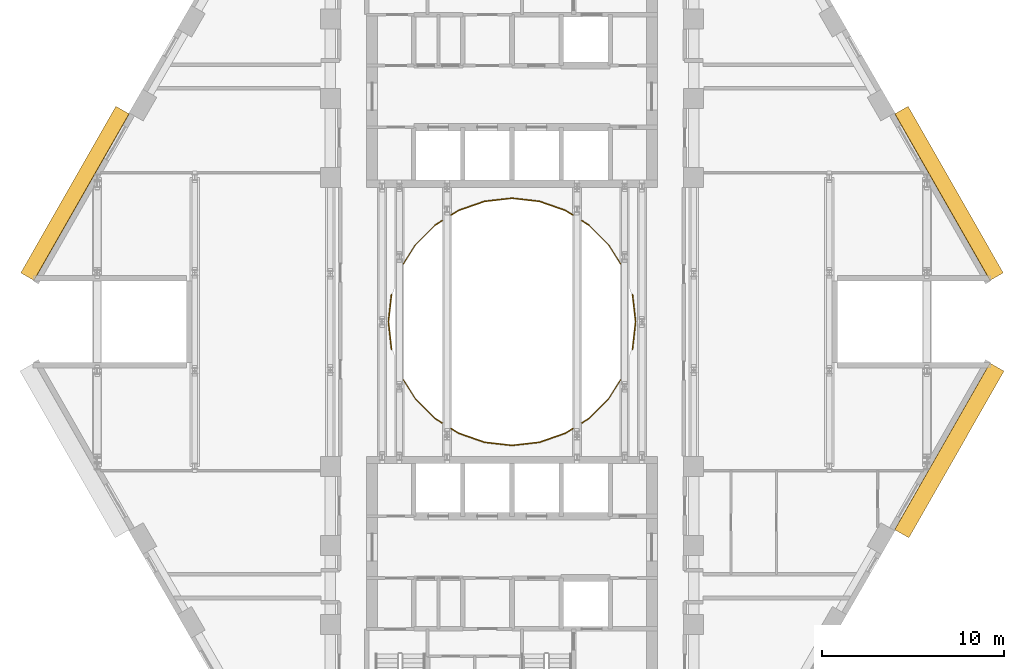
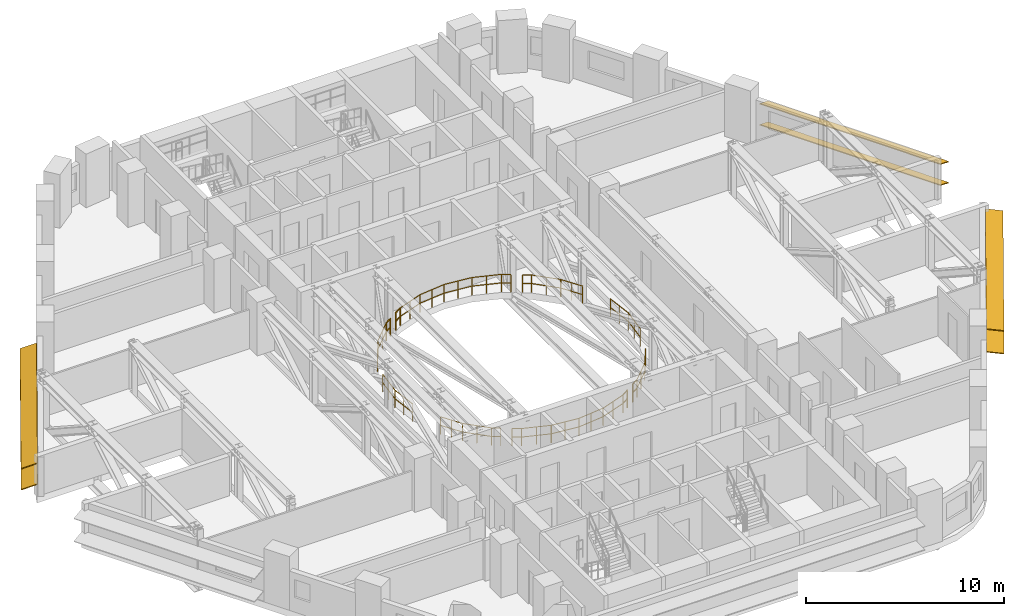
# One storey, part 17 of 18: 28 railings, 6 shading devices.
"""IFC4 building model written with IfcOpenShell, lengths in metres."""

from ifc_helpers import new_model, si_unit, direction, frame, origin, origin_2d, place, context, subcontext, project, spatial, rectangle, circle, extrude, material, material_profile, profile_set, type_object, element, save


model = new_model("IFC4")

# Units and contexts
model_context = context("Model", 3, precision=1e-05, world=origin(), true_north=direction((0.0, 1.0)))
body_context = subcontext(model_context, "Body", "Model", "MODEL_VIEW")
ifc_project = project(units=[si_unit("LENGTHUNIT", "METRE"), si_unit("AREAUNIT", "SQUARE_METRE"), si_unit("VOLUMEUNIT", "CUBIC_METRE"), si_unit("PLANEANGLEUNIT", "RADIAN"), si_unit("MASSUNIT", "GRAM", prefix="KILO")], contexts=[model_context])

# Site, building, storey
site_placement = place(None, origin())
site = spatial("IfcSite", under=ifc_project, at=site_placement, CompositionType="ELEMENT")
building_placement = place(site_placement, origin())
building = spatial("IfcBuilding", under=site, at=building_placement, Name="Nakaniwa Court", CompositionType="ELEMENT")
storey_placement = place(building_placement, frame((0.0, 0.0, 38.10009765625)))
storey = spatial("IfcBuildingStorey", under=building, at=storey_placement, Name="L09", CompositionType="ELEMENT", Elevation=38.10009765625)

# Shading devices
ifc_material_1 = material(Name="Perforated charcoal ceramic louvre blade")
ifc_material_profile = material_profile(ifc_material_1, rectangle(XDim=0.89990234375, YDim=0.050048828125, at=origin_2d()), Name="Perforated ceramic louvre blade")
ifc_profile_set = profile_set([ifc_material_profile], Name="Perforated charcoal ceramic louvre blade")
shading_device_type = type_object("IfcShadingDeviceType", Name="Perforated ceramic louvre blade", PredefinedType="JALOUSIE", material=ifc_profile_set)
for number, where, z_axis, x_axis, name in (
    (1, (58.575439453125, 91.64697265625, 0.5498046875), (-0.495969556448, -0.868339909872, 0.0), (0.802820219499, -0.458546686207, 0.38107037635), "L09 perforated ceramic louvre blade w09 1"),
    (2, (58.575439453125, 91.64697265625, 1.84521484375), (-0.495969556448, -0.868339909872, 0.0), (0.802820219499, -0.458546686207, 0.38107037635), "L09 perforated ceramic louvre blade w09 2"),
    (3, (101.4453125, 68.34130859375, 0.5498046875), (0.495969556448, 0.868339909872, 0.0), (-0.860712012886, 0.491612731843, 0.132256390257), "L09 perforated ceramic louvre blade w23 1"),
    (4, (101.4453125, 68.34130859375, 1.95556640625), (0.495969556448, 0.868339909872, 0.0), (-0.860712012886, 0.491612731843, 0.132256390257), "L09 perforated ceramic louvre blade w23 2"),
    (5, (106.659912109375, 82.48095703125, 0.5498046875), (-0.495969556448, 0.868339909872, 0.0), (-0.802820219499, -0.458546686207, 0.38107037635), "L09 perforated ceramic louvre blade w27 1"),
    (6, (106.659912109375, 82.48095703125, 1.84521484375), (-0.495969556448, 0.868339909872, 0.0), (-0.802820219499, -0.458546686207, 0.38107037635), "L09 perforated ceramic louvre blade w27 2"),
):
    element("IfcShadingDevice", number, at=place(storey_placement, frame(where, z_axis=z_axis, x_axis=x_axis)), inside=storey, type_object=shading_device_type, Name=name, PredefinedType="JALOUSIE", context=body_context, shape_type="SweptSolid", body=[
        extrude(rectangle(XDim=0.89990234375, YDim=0.050048828125, at=origin_2d()), origin(), (0.0, 0.0, 1.0), 10.555908203125),
    ])

# Railings
ifc_material_2 = material(Name="Black powder coated steel guard", Category="steel")
railing_type = type_object("IfcRailingType", Name="Stair guard 1100", PredefinedType="GUARDRAIL", material=ifc_material_2)
railing_1_placement = place(storey_placement, frame((83.3544921875, 85.873046875, 0.0)))
element("IfcRailing", 7, at=railing_1_placement, inside=storey, type_object=railing_type, Name="GUARD GD-L09-137", PredefinedType="GUARDRAIL", context=body_context, shape_type="SweptSolid", body=[
    extrude(circle(Radius=0.02392578125, at=origin_2d()), frame((0.0, 0.0, 1.076171875), z_axis=(-0.846803188398, 0.531906345251, 0.0), x_axis=(-0.531906345251, -0.846803188398, 0.0)), (0.0, 0.0, 1.0), 0.471435546875),
    extrude(circle(Radius=0.02392578125, at=origin_2d()), frame((0.0, 0.0, 0.550048828125), z_axis=(-0.846803188398, 0.531906345251, 0.0), x_axis=(-0.531906345251, -0.846803188398, 0.0)), (0.0, 0.0, 1.0), 0.471435546875),
    extrude(circle(Radius=0.02099609375, at=origin_2d()), origin(), (0.0, 0.0, 1.0), 1.052001953125),
    extrude(circle(Radius=0.02099609375, at=origin_2d()), frame((-0.399169921875, 0.250732421875, 0.0)), (0.0, 0.0, 1.0), 1.052001953125),
])
railing_2_placement = place(storey_placement, frame((82.9453125, 86.128662109375, 0.0)))
element("IfcRailing", 8, at=railing_2_placement, inside=storey, type_object=railing_type, Name="GUARD GD-L09-138", PredefinedType="GUARDRAIL", context=body_context, shape_type="SweptSolid", body=[
    extrude(circle(Radius=0.02392578125, at=origin_2d()), frame((0.0, 0.0, 1.076171875), z_axis=(-0.943878498697, 0.330292869582, 0.0), x_axis=(-0.330292869582, -0.943878498697, 0.0)), (0.0, 0.0, 1.0), 1.511474609375),
    extrude(circle(Radius=0.02392578125, at=origin_2d()), frame((0.0, 0.0, 0.550048828125), z_axis=(-0.943878498697, 0.330292869582, 0.0), x_axis=(-0.330292869582, -0.943878498697, 0.0)), (0.0, 0.0, 1.0), 1.511474609375),
    extrude(circle(Radius=0.02099609375, at=origin_2d()), origin(), (0.0, 0.0, 1.0), 1.052001953125),
    extrude(circle(Radius=0.02099609375, at=origin_2d()), frame((-0.71337890625, 0.24951171875, 0.0)), (0.0, 0.0, 1.0), 1.052001953125),
    extrude(circle(Radius=0.02099609375, at=origin_2d()), frame((-1.4267578125, 0.499267578125, 0.0)), (0.0, 0.0, 1.0), 1.052001953125),
])
railing_3_placement = place(storey_placement, frame((81.507568359375, 86.630615234375, 0.0)))
element("IfcRailing", 9, at=railing_3_placement, inside=storey, type_object=railing_type, Name="GUARD GD-L09-139", PredefinedType="GUARDRAIL", context=body_context, shape_type="SweptSolid", body=[
    extrude(circle(Radius=0.02392578125, at=origin_2d()), frame((0.0, 0.0, 1.076171875), z_axis=(-0.993715155565, 0.111938329455, 0.0), x_axis=(-0.111938329455, -0.993715155565, 0.0)), (0.0, 0.0, 1.0), 1.511474609375),
    extrude(circle(Radius=0.02392578125, at=origin_2d()), frame((0.0, 0.0, 0.550048828125), z_axis=(-0.993715155565, 0.111938329455, 0.0), x_axis=(-0.111938329455, -0.993715155565, 0.0)), (0.0, 0.0, 1.0), 1.511474609375),
    extrude(circle(Radius=0.02099609375, at=origin_2d()), origin(), (0.0, 0.0, 1.0), 1.052001953125),
    extrude(circle(Radius=0.02099609375, at=origin_2d()), frame((-0.7509765625, 0.08447265625, 0.0)), (0.0, 0.0, 1.0), 1.052001953125),
    extrude(circle(Radius=0.02099609375, at=origin_2d()), frame((-1.501953125, 0.169189453125, 0.0)), (0.0, 0.0, 1.0), 1.052001953125),
])
railing_4_placement = place(storey_placement, frame((79.994384765625, 86.7998046875, 0.0)))
element("IfcRailing", 10, at=railing_4_placement, inside=storey, type_object=railing_type, Name="GUARD GD-L09-140", PredefinedType="GUARDRAIL", context=body_context, shape_type="SweptSolid", body=[
    extrude(circle(Radius=0.02392578125, at=origin_2d()), frame((0.0, 0.0, 1.076171875), z_axis=(-0.993715155565, -0.111938329455, 0.0), x_axis=(0.111938329455, -0.993715155565, 0.0)), (0.0, 0.0, 1.0), 1.511474609375),
    extrude(circle(Radius=0.02392578125, at=origin_2d()), frame((0.0, 0.0, 0.550048828125), z_axis=(-0.993715155565, -0.111938329455, 0.0), x_axis=(0.111938329455, -0.993715155565, 0.0)), (0.0, 0.0, 1.0), 1.511474609375),
    extrude(circle(Radius=0.02099609375, at=origin_2d()), origin(), (0.0, 0.0, 1.0), 1.052001953125),
    extrude(circle(Radius=0.02099609375, at=origin_2d()), frame((-0.7509765625, -0.08447265625, 0.0)), (0.0, 0.0, 1.0), 1.052001953125),
    extrude(circle(Radius=0.02099609375, at=origin_2d()), frame((-1.501953125, -0.169189453125, 0.0)), (0.0, 0.0, 1.0), 1.052001953125),
])
railing_5_placement = place(storey_placement, frame((78.4814453125, 86.6279296875, 0.0)))
element("IfcRailing", 11, at=railing_5_placement, inside=storey, type_object=railing_type, Name="GUARD GD-L09-141", PredefinedType="GUARDRAIL", context=body_context, shape_type="SweptSolid", body=[
    extrude(circle(Radius=0.02392578125, at=origin_2d()), frame((0.0, 0.0, 1.076171875), z_axis=(-0.943878498697, -0.330292869582, 0.0), x_axis=(0.330292869582, -0.943878498697, 0.0)), (0.0, 0.0, 1.0), 1.511474609375),
    extrude(circle(Radius=0.02392578125, at=origin_2d()), frame((0.0, 0.0, 0.550048828125), z_axis=(-0.943878498697, -0.330292869582, 0.0), x_axis=(0.330292869582, -0.943878498697, 0.0)), (0.0, 0.0, 1.0), 1.511474609375),
    extrude(circle(Radius=0.02099609375, at=origin_2d()), origin(), (0.0, 0.0, 1.0), 1.052001953125),
    extrude(circle(Radius=0.02099609375, at=origin_2d()), frame((-0.71337890625, -0.24951171875, 0.0)), (0.0, 0.0, 1.0), 1.052001953125),
    extrude(circle(Radius=0.02099609375, at=origin_2d()), frame((-1.4267578125, -0.499267578125, 0.0)), (0.0, 0.0, 1.0), 1.052001953125),
])
railing_6_placement = place(storey_placement, frame((77.044677734375, 86.123779296875, 0.0)))
element("IfcRailing", 12, at=railing_6_placement, inside=storey, type_object=railing_type, Name="GUARD GD-L09-142", PredefinedType="GUARDRAIL", context=body_context, shape_type="SweptSolid", body=[
    extrude(circle(Radius=0.02392578125, at=origin_2d()), frame((0.0, 0.0, 1.076171875), z_axis=(-0.846803188398, -0.531906345251, 0.0), x_axis=(0.531906345251, -0.846803188398, 0.0)), (0.0, 0.0, 1.0), 0.471435546875),
    extrude(circle(Radius=0.02392578125, at=origin_2d()), frame((0.0, 0.0, 0.550048828125), z_axis=(-0.846803188398, -0.531906345251, 0.0), x_axis=(0.531906345251, -0.846803188398, 0.0)), (0.0, 0.0, 1.0), 0.471435546875),
    extrude(circle(Radius=0.02099609375, at=origin_2d()), origin(), (0.0, 0.0, 1.0), 1.052001953125),
    extrude(circle(Radius=0.02099609375, at=origin_2d()), frame((-0.399169921875, -0.250732421875, 0.0)), (0.0, 0.0, 1.0), 1.052001953125),
])
railing_7_placement = place(storey_placement, frame((76.155517578125, 85.565185546875, 0.0)))
element("IfcRailing", 13, at=railing_7_placement, inside=storey, type_object=railing_type, Name="GUARD GD-L09-143", PredefinedType="GUARDRAIL", context=body_context, shape_type="SweptSolid", body=[
    extrude(circle(Radius=0.02392578125, at=origin_2d()), frame((0.0, 0.0, 1.076171875), z_axis=(-0.846568430422, -0.532279900628, 0.0), x_axis=(0.532279900628, -0.846568430422, 0.0)), (0.0, 0.0, 1.0), 0.46142578125),
    extrude(circle(Radius=0.02392578125, at=origin_2d()), frame((0.0, 0.0, 0.550048828125), z_axis=(-0.846568430422, -0.532279900628, 0.0), x_axis=(0.532279900628, -0.846568430422, 0.0)), (0.0, 0.0, 1.0), 0.46142578125),
    extrude(circle(Radius=0.02099609375, at=origin_2d()), origin(), (0.0, 0.0, 1.0), 1.052001953125),
    extrude(circle(Radius=0.02099609375, at=origin_2d()), frame((-0.390625, -0.24560546875, 0.0)), (0.0, 0.0, 1.0), 1.052001953125),
])
railing_8_placement = place(storey_placement, frame((75.756103515625, 85.312744140625, 0.0)))
element("IfcRailing", 14, at=railing_8_placement, inside=storey, type_object=railing_type, Name="GUARD GD-L09-144", PredefinedType="GUARDRAIL", context=body_context, shape_type="SweptSolid", body=[
    extrude(circle(Radius=0.02392578125, at=origin_2d()), frame((0.0, 0.0, 1.076171875), z_axis=(-0.707106781187, -0.707106781187, 0.0), x_axis=(0.707106781187, -0.707106781187, 0.0)), (0.0, 0.0, 1.0), 1.511474609375),
    extrude(circle(Radius=0.02392578125, at=origin_2d()), frame((0.0, 0.0, 0.550048828125), z_axis=(-0.707106781187, -0.707106781187, 0.0), x_axis=(0.707106781187, -0.707106781187, 0.0)), (0.0, 0.0, 1.0), 1.511474609375),
    extrude(circle(Radius=0.02099609375, at=origin_2d()), origin(), (0.0, 0.0, 1.0), 1.052001953125),
    extrude(circle(Radius=0.02099609375, at=origin_2d()), frame((-0.534423828125, -0.534423828125, 0.0)), (0.0, 0.0, 1.0), 1.052001953125),
    extrude(circle(Radius=0.02099609375, at=origin_2d()), frame((-1.06884765625, -1.06884765625, 0.0)), (0.0, 0.0, 1.0), 1.052001953125),
])
railing_9_placement = place(storey_placement, frame((74.680419921875, 84.235107421875, 0.0)))
element("IfcRailing", 15, at=railing_9_placement, inside=storey, type_object=railing_type, Name="GUARD GD-L09-145", PredefinedType="GUARDRAIL", context=body_context, shape_type="SweptSolid", body=[
    extrude(circle(Radius=0.02392578125, at=origin_2d()), frame((0.0, 0.0, 1.076171875), z_axis=(-0.532139278029, -0.846656830587, 0.0), x_axis=(0.846656830587, -0.532139278029, 0.0)), (0.0, 0.0, 1.0), 1.23974609375),
    extrude(circle(Radius=0.02392578125, at=origin_2d()), frame((0.0, 0.0, 0.550048828125), z_axis=(-0.532139278029, -0.846656830587, 0.0), x_axis=(0.846656830587, -0.532139278029, 0.0)), (0.0, 0.0, 1.0), 1.23974609375),
    extrude(circle(Radius=0.02099609375, at=origin_2d()), origin(), (0.0, 0.0, 1.0), 1.052001953125),
    extrude(circle(Radius=0.02099609375, at=origin_2d()), frame((-0.329833984375, -0.52490234375, 0.0)), (0.0, 0.0, 1.0), 1.052001953125),
    extrude(circle(Radius=0.02099609375, at=origin_2d()), frame((-0.65966796875, -1.049560546875, 0.0)), (0.0, 0.0, 1.0), 1.052001953125),
])
railing_10_placement = place(storey_placement, frame((73.369384765625, 81.507568359375, 0.0)))
element("IfcRailing", 16, at=railing_10_placement, inside=storey, type_object=railing_type, Name="GUARD GD-L09-146", PredefinedType="GUARDRAIL", context=body_context, shape_type="SweptSolid", body=[
    extrude(circle(Radius=0.02392578125, at=origin_2d()), frame((0.0, 0.0, 1.076171875), z_axis=(-0.111938329455, -0.993715155565, 0.0), x_axis=(0.993715155565, -0.111938329455, 0.0)), (0.0, 0.0, 1.0), 1.511474609375),
    extrude(circle(Radius=0.02392578125, at=origin_2d()), frame((0.0, 0.0, 0.550048828125), z_axis=(-0.111938329455, -0.993715155565, 0.0), x_axis=(0.993715155565, -0.111938329455, 0.0)), (0.0, 0.0, 1.0), 1.511474609375),
    extrude(circle(Radius=0.02099609375, at=origin_2d()), origin(), (0.0, 0.0, 1.0), 1.052001953125),
    extrude(circle(Radius=0.02099609375, at=origin_2d()), frame((-0.08447265625, -0.7509765625, 0.0)), (0.0, 0.0, 1.0), 1.052001953125),
    extrude(circle(Radius=0.02099609375, at=origin_2d()), frame((-0.169189453125, -1.501953125, 0.0)), (0.0, 0.0, 1.0), 1.052001953125),
])
railing_11_placement = place(storey_placement, frame((73.2001953125, 79.994384765625, 0.0)))
element("IfcRailing", 17, at=railing_11_placement, inside=storey, type_object=railing_type, Name="GUARD GD-L09-147", PredefinedType="GUARDRAIL", context=body_context, shape_type="SweptSolid", body=[
    extrude(circle(Radius=0.02392578125, at=origin_2d()), frame((0.0, 0.0, 1.076171875), z_axis=(0.111938329455, -0.993715155565, 0.0), x_axis=(0.993715155565, 0.111938329455, 0.0)), (0.0, 0.0, 1.0), 1.511474609375),
    extrude(circle(Radius=0.02392578125, at=origin_2d()), frame((0.0, 0.0, 0.550048828125), z_axis=(0.111938329455, -0.993715155565, 0.0), x_axis=(0.993715155565, 0.111938329455, 0.0)), (0.0, 0.0, 1.0), 1.511474609375),
    extrude(circle(Radius=0.02099609375, at=origin_2d()), origin(), (0.0, 0.0, 1.0), 1.052001953125),
    extrude(circle(Radius=0.02099609375, at=origin_2d()), frame((0.08447265625, -0.7509765625, 0.0)), (0.0, 0.0, 1.0), 1.052001953125),
    extrude(circle(Radius=0.02099609375, at=origin_2d()), frame((0.169189453125, -1.501953125, 0.0)), (0.0, 0.0, 1.0), 1.052001953125),
])
railing_12_placement = place(storey_placement, frame((74.020751953125, 76.814453125, 0.0)))
element("IfcRailing", 18, at=railing_12_placement, inside=storey, type_object=railing_type, Name="GUARD GD-L09-148", PredefinedType="GUARDRAIL", context=body_context, shape_type="SweptSolid", body=[
    extrude(circle(Radius=0.02392578125, at=origin_2d()), frame((0.0, 0.0, 1.076171875), z_axis=(0.532139278029, -0.846656830587, 0.0), x_axis=(0.846656830587, 0.532139278029, 0.0)), (0.0, 0.0, 1.0), 1.23974609375),
    extrude(circle(Radius=0.02392578125, at=origin_2d()), frame((0.0, 0.0, 0.550048828125), z_axis=(0.532139278029, -0.846656830587, 0.0), x_axis=(0.846656830587, 0.532139278029, 0.0)), (0.0, 0.0, 1.0), 1.23974609375),
    extrude(circle(Radius=0.02099609375, at=origin_2d()), origin(), (0.0, 0.0, 1.0), 1.052001953125),
    extrude(circle(Radius=0.02099609375, at=origin_2d()), frame((0.329833984375, -0.52490234375, 0.0)), (0.0, 0.0, 1.0), 1.052001953125),
    extrude(circle(Radius=0.02099609375, at=origin_2d()), frame((0.65966796875, -1.049560546875, 0.0)), (0.0, 0.0, 1.0), 1.052001953125),
])
railing_13_placement = place(storey_placement, frame((74.687255859375, 75.756103515625, 0.0)))
element("IfcRailing", 19, at=railing_13_placement, inside=storey, type_object=railing_type, Name="GUARD GD-L09-149", PredefinedType="GUARDRAIL", context=body_context, shape_type="SweptSolid", body=[
    extrude(circle(Radius=0.02392578125, at=origin_2d()), frame((0.0, 0.0, 1.076171875), z_axis=(0.707106781187, -0.707106781187, 0.0), x_axis=(0.707106781187, 0.707106781187, 0.0)), (0.0, 0.0, 1.0), 1.511474609375),
    extrude(circle(Radius=0.02392578125, at=origin_2d()), frame((0.0, 0.0, 0.550048828125), z_axis=(0.707106781187, -0.707106781187, 0.0), x_axis=(0.707106781187, 0.707106781187, 0.0)), (0.0, 0.0, 1.0), 1.511474609375),
    extrude(circle(Radius=0.02099609375, at=origin_2d()), origin(), (0.0, 0.0, 1.0), 1.052001953125),
    extrude(circle(Radius=0.02099609375, at=origin_2d()), frame((0.534423828125, -0.534423828125, 0.0)), (0.0, 0.0, 1.0), 1.052001953125),
    extrude(circle(Radius=0.02099609375, at=origin_2d()), frame((1.06884765625, -1.06884765625, 0.0)), (0.0, 0.0, 1.0), 1.052001953125),
])
railing_14_placement = place(storey_placement, frame((75.764892578125, 74.680419921875, 0.0)))
element("IfcRailing", 20, at=railing_14_placement, inside=storey, type_object=railing_type, Name="GUARD GD-L09-150", PredefinedType="GUARDRAIL", context=body_context, shape_type="SweptSolid", body=[
    extrude(circle(Radius=0.02392578125, at=origin_2d()), frame((0.0, 0.0, 1.076171875), z_axis=(0.846568430422, -0.532279900628, 0.0), x_axis=(0.532279900628, 0.846568430422, 0.0)), (0.0, 0.0, 1.0), 0.46142578125),
    extrude(circle(Radius=0.02392578125, at=origin_2d()), frame((0.0, 0.0, 0.550048828125), z_axis=(0.846568430422, -0.532279900628, 0.0), x_axis=(0.532279900628, 0.846568430422, 0.0)), (0.0, 0.0, 1.0), 0.46142578125),
    extrude(circle(Radius=0.02099609375, at=origin_2d()), origin(), (0.0, 0.0, 1.0), 1.052001953125),
    extrude(circle(Radius=0.02099609375, at=origin_2d()), frame((0.390625, -0.24560546875, 0.0)), (0.0, 0.0, 1.0), 1.052001953125),
])
railing_15_placement = place(storey_placement, frame((76.6455078125, 74.126953125, 0.0)))
element("IfcRailing", 21, at=railing_15_placement, inside=storey, type_object=railing_type, Name="GUARD GD-L09-151", PredefinedType="GUARDRAIL", context=body_context, shape_type="SweptSolid", body=[
    extrude(circle(Radius=0.02392578125, at=origin_2d()), frame((0.0, 0.0, 1.076171875), z_axis=(0.846803188398, -0.531906345251, 0.0), x_axis=(0.531906345251, 0.846803188398, 0.0)), (0.0, 0.0, 1.0), 0.471435546875),
    extrude(circle(Radius=0.02392578125, at=origin_2d()), frame((0.0, 0.0, 0.550048828125), z_axis=(0.846803188398, -0.531906345251, 0.0), x_axis=(0.531906345251, 0.846803188398, 0.0)), (0.0, 0.0, 1.0), 0.471435546875),
    extrude(circle(Radius=0.02099609375, at=origin_2d()), origin(), (0.0, 0.0, 1.0), 1.052001953125),
    extrude(circle(Radius=0.02099609375, at=origin_2d()), frame((0.399169921875, -0.250732421875, 0.0)), (0.0, 0.0, 1.0), 1.052001953125),
])
railing_16_placement = place(storey_placement, frame((77.0546875, 73.871337890625, 0.0)))
element("IfcRailing", 22, at=railing_16_placement, inside=storey, type_object=railing_type, Name="GUARD GD-L09-152", PredefinedType="GUARDRAIL", context=body_context, shape_type="SweptSolid", body=[
    extrude(circle(Radius=0.02392578125, at=origin_2d()), frame((0.0, 0.0, 1.076171875), z_axis=(0.943878498697, -0.330292869582, 0.0), x_axis=(0.330292869582, 0.943878498697, 0.0)), (0.0, 0.0, 1.0), 1.511474609375),
    extrude(circle(Radius=0.02392578125, at=origin_2d()), frame((0.0, 0.0, 0.550048828125), z_axis=(0.943878498697, -0.330292869582, 0.0), x_axis=(0.330292869582, 0.943878498697, 0.0)), (0.0, 0.0, 1.0), 1.511474609375),
    extrude(circle(Radius=0.02099609375, at=origin_2d()), origin(), (0.0, 0.0, 1.0), 1.052001953125),
    extrude(circle(Radius=0.02099609375, at=origin_2d()), frame((0.71337890625, -0.24951171875, 0.0)), (0.0, 0.0, 1.0), 1.052001953125),
    extrude(circle(Radius=0.02099609375, at=origin_2d()), frame((1.4267578125, -0.499267578125, 0.0)), (0.0, 0.0, 1.0), 1.052001953125),
])
railing_17_placement = place(storey_placement, frame((78.492431640625, 73.369384765625, 0.0)))
element("IfcRailing", 23, at=railing_17_placement, inside=storey, type_object=railing_type, Name="GUARD GD-L09-153", PredefinedType="GUARDRAIL", context=body_context, shape_type="SweptSolid", body=[
    extrude(circle(Radius=0.02392578125, at=origin_2d()), frame((0.0, 0.0, 1.076171875), z_axis=(0.993715155565, -0.111938329455, 0.0), x_axis=(0.111938329455, 0.993715155565, 0.0)), (0.0, 0.0, 1.0), 1.511474609375),
    extrude(circle(Radius=0.02392578125, at=origin_2d()), frame((0.0, 0.0, 0.550048828125), z_axis=(0.993715155565, -0.111938329455, 0.0), x_axis=(0.111938329455, 0.993715155565, 0.0)), (0.0, 0.0, 1.0), 1.511474609375),
    extrude(circle(Radius=0.02099609375, at=origin_2d()), origin(), (0.0, 0.0, 1.0), 1.052001953125),
    extrude(circle(Radius=0.02099609375, at=origin_2d()), frame((0.7509765625, -0.08447265625, 0.0)), (0.0, 0.0, 1.0), 1.052001953125),
    extrude(circle(Radius=0.02099609375, at=origin_2d()), frame((1.501953125, -0.169189453125, 0.0)), (0.0, 0.0, 1.0), 1.052001953125),
])
railing_18_placement = place(storey_placement, frame((80.005615234375, 73.2001953125, 0.0)))
element("IfcRailing", 24, at=railing_18_placement, inside=storey, type_object=railing_type, Name="GUARD GD-L09-154", PredefinedType="GUARDRAIL", context=body_context, shape_type="SweptSolid", body=[
    extrude(circle(Radius=0.02392578125, at=origin_2d()), frame((0.0, 0.0, 1.076171875), z_axis=(0.993715155565, 0.111938329455, 0.0), x_axis=(-0.111938329455, 0.993715155565, 0.0)), (0.0, 0.0, 1.0), 1.511474609375),
    extrude(circle(Radius=0.02392578125, at=origin_2d()), frame((0.0, 0.0, 0.550048828125), z_axis=(0.993715155565, 0.111938329455, 0.0), x_axis=(-0.111938329455, 0.993715155565, 0.0)), (0.0, 0.0, 1.0), 1.511474609375),
    extrude(circle(Radius=0.02099609375, at=origin_2d()), origin(), (0.0, 0.0, 1.0), 1.052001953125),
    extrude(circle(Radius=0.02099609375, at=origin_2d()), frame((0.7509765625, 0.08447265625, 0.0)), (0.0, 0.0, 1.0), 1.052001953125),
    extrude(circle(Radius=0.02099609375, at=origin_2d()), frame((1.501953125, 0.169189453125, 0.0)), (0.0, 0.0, 1.0), 1.052001953125),
])
railing_19_placement = place(storey_placement, frame((81.5185546875, 73.3720703125, 0.0)))
element("IfcRailing", 25, at=railing_19_placement, inside=storey, type_object=railing_type, Name="GUARD GD-L09-155", PredefinedType="GUARDRAIL", context=body_context, shape_type="SweptSolid", body=[
    extrude(circle(Radius=0.02392578125, at=origin_2d()), frame((0.0, 0.0, 1.076171875), z_axis=(0.943878498697, 0.330292869582, 0.0), x_axis=(-0.330292869582, 0.943878498697, 0.0)), (0.0, 0.0, 1.0), 1.511474609375),
    extrude(circle(Radius=0.02392578125, at=origin_2d()), frame((0.0, 0.0, 0.550048828125), z_axis=(0.943878498697, 0.330292869582, 0.0), x_axis=(-0.330292869582, 0.943878498697, 0.0)), (0.0, 0.0, 1.0), 1.511474609375),
    extrude(circle(Radius=0.02099609375, at=origin_2d()), origin(), (0.0, 0.0, 1.0), 1.052001953125),
    extrude(circle(Radius=0.02099609375, at=origin_2d()), frame((0.71337890625, 0.24951171875, 0.0)), (0.0, 0.0, 1.0), 1.052001953125),
    extrude(circle(Radius=0.02099609375, at=origin_2d()), frame((1.4267578125, 0.499267578125, 0.0)), (0.0, 0.0, 1.0), 1.052001953125),
])
railing_20_placement = place(storey_placement, frame((82.955322265625, 73.876220703125, 0.0)))
element("IfcRailing", 26, at=railing_20_placement, inside=storey, type_object=railing_type, Name="GUARD GD-L09-156", PredefinedType="GUARDRAIL", context=body_context, shape_type="SweptSolid", body=[
    extrude(circle(Radius=0.02392578125, at=origin_2d()), frame((0.0, 0.0, 1.076171875), z_axis=(0.846803188398, 0.531906345251, 0.0), x_axis=(-0.531906345251, 0.846803188398, 0.0)), (0.0, 0.0, 1.0), 0.471435546875),
    extrude(circle(Radius=0.02392578125, at=origin_2d()), frame((0.0, 0.0, 0.550048828125), z_axis=(0.846803188398, 0.531906345251, 0.0), x_axis=(-0.531906345251, 0.846803188398, 0.0)), (0.0, 0.0, 1.0), 0.471435546875),
    extrude(circle(Radius=0.02099609375, at=origin_2d()), origin(), (0.0, 0.0, 1.0), 1.052001953125),
    extrude(circle(Radius=0.02099609375, at=origin_2d()), frame((0.399169921875, 0.250732421875, 0.0)), (0.0, 0.0, 1.0), 1.052001953125),
])
railing_21_placement = place(storey_placement, frame((83.844482421875, 74.434814453125, 0.0)))
element("IfcRailing", 27, at=railing_21_placement, inside=storey, type_object=railing_type, Name="GUARD GD-L09-157", PredefinedType="GUARDRAIL", context=body_context, shape_type="SweptSolid", body=[
    extrude(circle(Radius=0.02392578125, at=origin_2d()), frame((0.0, 0.0, 1.076171875), z_axis=(0.846568430422, 0.532279900628, 0.0), x_axis=(-0.532279900628, 0.846568430422, 0.0)), (0.0, 0.0, 1.0), 0.46142578125),
    extrude(circle(Radius=0.02392578125, at=origin_2d()), frame((0.0, 0.0, 0.550048828125), z_axis=(0.846568430422, 0.532279900628, 0.0), x_axis=(-0.532279900628, 0.846568430422, 0.0)), (0.0, 0.0, 1.0), 0.46142578125),
    extrude(circle(Radius=0.02099609375, at=origin_2d()), origin(), (0.0, 0.0, 1.0), 1.052001953125),
    extrude(circle(Radius=0.02099609375, at=origin_2d()), frame((0.390625, 0.24560546875, 0.0)), (0.0, 0.0, 1.0), 1.052001953125),
])
railing_22_placement = place(storey_placement, frame((84.243896484375, 74.687255859375, 0.0)))
element("IfcRailing", 28, at=railing_22_placement, inside=storey, type_object=railing_type, Name="GUARD GD-L09-158", PredefinedType="GUARDRAIL", context=body_context, shape_type="SweptSolid", body=[
    extrude(circle(Radius=0.02392578125, at=origin_2d()), frame((0.0, 0.0, 1.076171875), z_axis=(0.707106781187, 0.707106781187, 0.0), x_axis=(-0.707106781187, 0.707106781187, 0.0)), (0.0, 0.0, 1.0), 1.511474609375),
    extrude(circle(Radius=0.02392578125, at=origin_2d()), frame((0.0, 0.0, 0.550048828125), z_axis=(0.707106781187, 0.707106781187, 0.0), x_axis=(-0.707106781187, 0.707106781187, 0.0)), (0.0, 0.0, 1.0), 1.511474609375),
    extrude(circle(Radius=0.02099609375, at=origin_2d()), origin(), (0.0, 0.0, 1.0), 1.052001953125),
    extrude(circle(Radius=0.02099609375, at=origin_2d()), frame((0.534423828125, 0.534423828125, 0.0)), (0.0, 0.0, 1.0), 1.052001953125),
    extrude(circle(Radius=0.02099609375, at=origin_2d()), frame((1.06884765625, 1.06884765625, 0.0)), (0.0, 0.0, 1.0), 1.052001953125),
])
railing_23_placement = place(storey_placement, frame((85.319580078125, 75.764892578125, 0.0)))
element("IfcRailing", 29, at=railing_23_placement, inside=storey, type_object=railing_type, Name="GUARD GD-L09-159", PredefinedType="GUARDRAIL", context=body_context, shape_type="SweptSolid", body=[
    extrude(circle(Radius=0.02392578125, at=origin_2d()), frame((0.0, 0.0, 1.076171875), z_axis=(0.532139278029, 0.846656830587, 0.0), x_axis=(-0.846656830587, 0.532139278029, 0.0)), (0.0, 0.0, 1.0), 1.23974609375),
    extrude(circle(Radius=0.02392578125, at=origin_2d()), frame((0.0, 0.0, 0.550048828125), z_axis=(0.532139278029, 0.846656830587, 0.0), x_axis=(-0.846656830587, 0.532139278029, 0.0)), (0.0, 0.0, 1.0), 1.23974609375),
    extrude(circle(Radius=0.02099609375, at=origin_2d()), origin(), (0.0, 0.0, 1.0), 1.052001953125),
    extrude(circle(Radius=0.02099609375, at=origin_2d()), frame((0.329833984375, 0.52490234375, 0.0)), (0.0, 0.0, 1.0), 1.052001953125),
    extrude(circle(Radius=0.02099609375, at=origin_2d()), frame((0.65966796875, 1.049560546875, 0.0)), (0.0, 0.0, 1.0), 1.052001953125),
])
railing_24_placement = place(storey_placement, frame((86.630615234375, 78.492431640625, 0.0)))
element("IfcRailing", 30, at=railing_24_placement, inside=storey, type_object=railing_type, Name="GUARD GD-L09-160", PredefinedType="GUARDRAIL", context=body_context, shape_type="SweptSolid", body=[
    extrude(circle(Radius=0.02392578125, at=origin_2d()), frame((0.0, 0.0, 1.076171875), z_axis=(0.111938329455, 0.993715155565, 0.0), x_axis=(-0.993715155565, 0.111938329455, 0.0)), (0.0, 0.0, 1.0), 1.511474609375),
    extrude(circle(Radius=0.02392578125, at=origin_2d()), frame((0.0, 0.0, 0.550048828125), z_axis=(0.111938329455, 0.993715155565, 0.0), x_axis=(-0.993715155565, 0.111938329455, 0.0)), (0.0, 0.0, 1.0), 1.511474609375),
    extrude(circle(Radius=0.02099609375, at=origin_2d()), origin(), (0.0, 0.0, 1.0), 1.052001953125),
    extrude(circle(Radius=0.02099609375, at=origin_2d()), frame((0.08447265625, 0.7509765625, 0.0)), (0.0, 0.0, 1.0), 1.052001953125),
    extrude(circle(Radius=0.02099609375, at=origin_2d()), frame((0.169189453125, 1.501953125, 0.0)), (0.0, 0.0, 1.0), 1.052001953125),
])
railing_25_placement = place(storey_placement, frame((86.7998046875, 80.005615234375, 0.0)))
element("IfcRailing", 31, at=railing_25_placement, inside=storey, type_object=railing_type, Name="GUARD GD-L09-161", PredefinedType="GUARDRAIL", context=body_context, shape_type="SweptSolid", body=[
    extrude(circle(Radius=0.02392578125, at=origin_2d()), frame((0.0, 0.0, 1.076171875), z_axis=(-0.111938329455, 0.993715155565, 0.0), x_axis=(-0.993715155565, -0.111938329455, 0.0)), (0.0, 0.0, 1.0), 1.511474609375),
    extrude(circle(Radius=0.02392578125, at=origin_2d()), frame((0.0, 0.0, 0.550048828125), z_axis=(-0.111938329455, 0.993715155565, 0.0), x_axis=(-0.993715155565, -0.111938329455, 0.0)), (0.0, 0.0, 1.0), 1.511474609375),
    extrude(circle(Radius=0.02099609375, at=origin_2d()), origin(), (0.0, 0.0, 1.0), 1.052001953125),
    extrude(circle(Radius=0.02099609375, at=origin_2d()), frame((-0.08447265625, 0.7509765625, 0.0)), (0.0, 0.0, 1.0), 1.052001953125),
    extrude(circle(Radius=0.02099609375, at=origin_2d()), frame((-0.169189453125, 1.501953125, 0.0)), (0.0, 0.0, 1.0), 1.052001953125),
])
railing_26_placement = place(storey_placement, frame((85.979248046875, 83.185546875, 0.0)))
element("IfcRailing", 32, at=railing_26_placement, inside=storey, type_object=railing_type, Name="GUARD GD-L09-162", PredefinedType="GUARDRAIL", context=body_context, shape_type="SweptSolid", body=[
    extrude(circle(Radius=0.02392578125, at=origin_2d()), frame((0.0, 0.0, 1.076171875), z_axis=(-0.532139278029, 0.846656830587, 0.0), x_axis=(-0.846656830587, -0.532139278029, 0.0)), (0.0, 0.0, 1.0), 1.23974609375),
    extrude(circle(Radius=0.02392578125, at=origin_2d()), frame((0.0, 0.0, 0.550048828125), z_axis=(-0.532139278029, 0.846656830587, 0.0), x_axis=(-0.846656830587, -0.532139278029, 0.0)), (0.0, 0.0, 1.0), 1.23974609375),
    extrude(circle(Radius=0.02099609375, at=origin_2d()), origin(), (0.0, 0.0, 1.0), 1.052001953125),
    extrude(circle(Radius=0.02099609375, at=origin_2d()), frame((-0.329833984375, 0.52490234375, 0.0)), (0.0, 0.0, 1.0), 1.052001953125),
    extrude(circle(Radius=0.02099609375, at=origin_2d()), frame((-0.65966796875, 1.049560546875, 0.0)), (0.0, 0.0, 1.0), 1.052001953125),
])
railing_27_placement = place(storey_placement, frame((85.312744140625, 84.243896484375, 0.0)))
element("IfcRailing", 33, at=railing_27_placement, inside=storey, type_object=railing_type, Name="GUARD GD-L09-163", PredefinedType="GUARDRAIL", context=body_context, shape_type="SweptSolid", body=[
    extrude(circle(Radius=0.02392578125, at=origin_2d()), frame((0.0, 0.0, 1.076171875), z_axis=(-0.707106781187, 0.707106781187, 0.0), x_axis=(-0.707106781187, -0.707106781187, 0.0)), (0.0, 0.0, 1.0), 1.511474609375),
    extrude(circle(Radius=0.02392578125, at=origin_2d()), frame((0.0, 0.0, 0.550048828125), z_axis=(-0.707106781187, 0.707106781187, 0.0), x_axis=(-0.707106781187, -0.707106781187, 0.0)), (0.0, 0.0, 1.0), 1.511474609375),
    extrude(circle(Radius=0.02099609375, at=origin_2d()), origin(), (0.0, 0.0, 1.0), 1.052001953125),
    extrude(circle(Radius=0.02099609375, at=origin_2d()), frame((-0.534423828125, 0.534423828125, 0.0)), (0.0, 0.0, 1.0), 1.052001953125),
    extrude(circle(Radius=0.02099609375, at=origin_2d()), frame((-1.06884765625, 1.06884765625, 0.0)), (0.0, 0.0, 1.0), 1.052001953125),
])
railing_28_placement = place(storey_placement, frame((84.235107421875, 85.319580078125, 0.0)))
element("IfcRailing", 34, at=railing_28_placement, inside=storey, type_object=railing_type, Name="GUARD GD-L09-164", PredefinedType="GUARDRAIL", context=body_context, shape_type="SweptSolid", body=[
    extrude(circle(Radius=0.02392578125, at=origin_2d()), frame((0.0, 0.0, 1.076171875), z_axis=(-0.846568430422, 0.532279900628, 0.0), x_axis=(-0.532279900628, -0.846568430422, 0.0)), (0.0, 0.0, 1.0), 0.46142578125),
    extrude(circle(Radius=0.02392578125, at=origin_2d()), frame((0.0, 0.0, 0.550048828125), z_axis=(-0.846568430422, 0.532279900628, 0.0), x_axis=(-0.532279900628, -0.846568430422, 0.0)), (0.0, 0.0, 1.0), 0.46142578125),
    extrude(circle(Radius=0.02099609375, at=origin_2d()), origin(), (0.0, 0.0, 1.0), 1.052001953125),
    extrude(circle(Radius=0.02099609375, at=origin_2d()), frame((-0.390625, 0.24560546875, 0.0)), (0.0, 0.0, 1.0), 1.052001953125),
])

save(model, "model.ifc")
